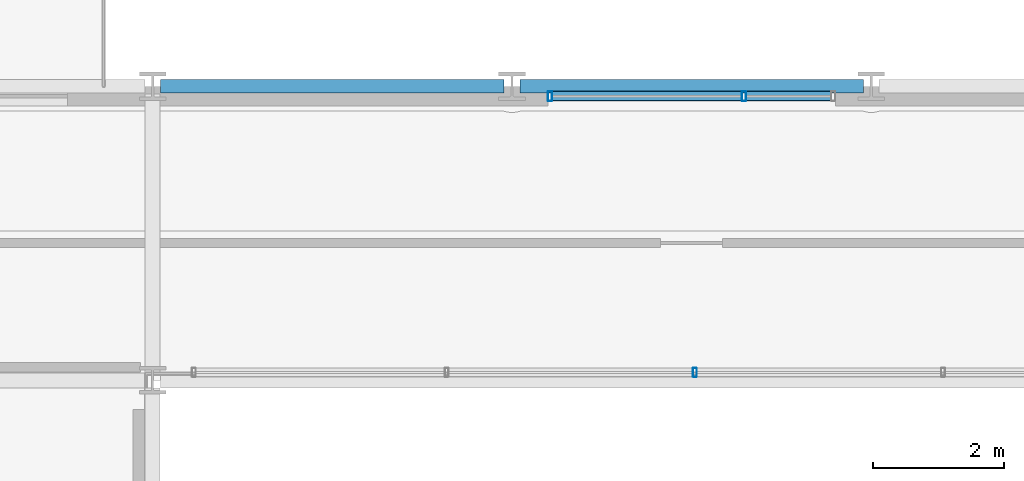
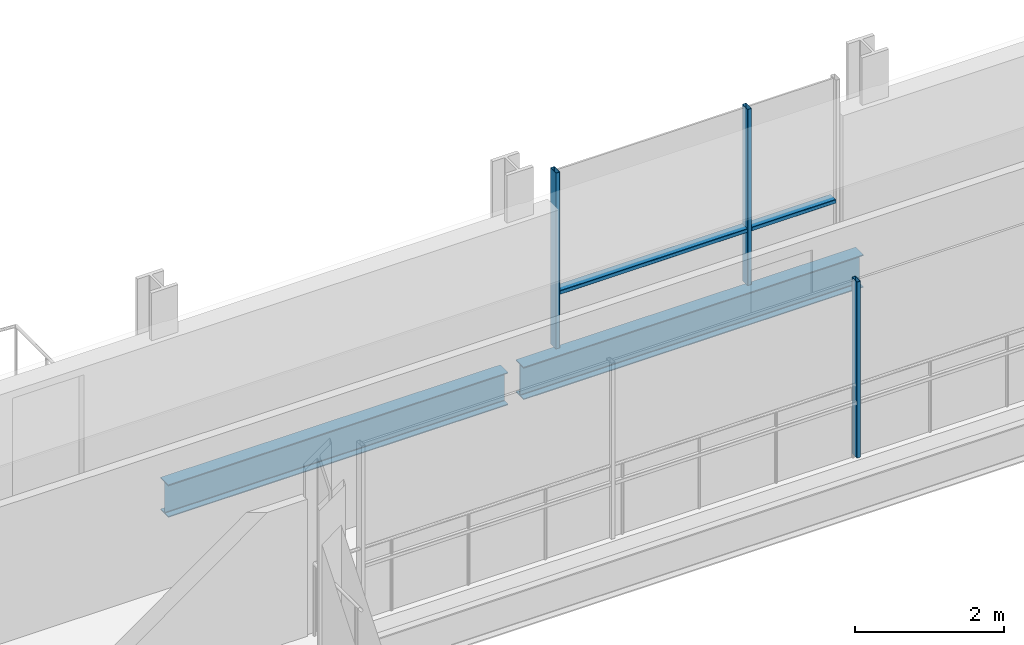
# One storey, part 11 of 38: 5 members, 2 beams, 2 elements without a shape of their own.
"""IFC4 building model written with IfcOpenShell, lengths in metres."""

from ifc_helpers import new_model, si_unit, direction, frame, origin, origin_2d, place, context, subcontext, project, spatial, hollow_rectangle, i_section, extrude, material, layer, layer_set, material_profile, profile_set, type_object, element, aggregate, save


model = new_model("IFC4")

# Units and contexts
model_context = context("Model", 3, precision=1e-05, world=origin(), true_north=direction((0.0, 1.0)))
body_context = subcontext(model_context, "Body", "Model", "MODEL_VIEW")
ifc_project = project(units=[si_unit("LENGTHUNIT", "METRE"), si_unit("AREAUNIT", "SQUARE_METRE"), si_unit("VOLUMEUNIT", "CUBIC_METRE"), si_unit("PLANEANGLEUNIT", "RADIAN"), si_unit("MASSUNIT", "GRAM", prefix="KILO")], contexts=[model_context])

# Site, building, storey
site_placement = place(None, origin())
site = spatial("IfcSite", under=ifc_project, at=site_placement, CompositionType="ELEMENT")
building_placement = place(site_placement, origin())
building = spatial("IfcBuilding", under=site, at=building_placement, Name="Brevholm Reach", CompositionType="ELEMENT")
storey_placement = place(building_placement, frame((0.0, 0.0, 128.300048828125)))
storey = spatial("IfcBuildingStorey", under=building, at=storey_placement, Name="L38", CompositionType="ELEMENT", Elevation=128.300048828125)

# Beams
ifc_material_1 = material(Name="Structural Steel S355J2", Category="steel")
ifc_material_profile_1 = material_profile(ifc_material_1, i_section(OverallWidth=0.209228515625, OverallDepth=0.533203125, WebThickness=0.010009765625, FlangeThickness=0.015625, FilletRadius=0.0126953125, at=origin_2d()), Name="UKB 533x210x92")
ifc_profile_set_1 = profile_set([ifc_material_profile_1], Name="Structural Steel S355J2")
beam_type = type_object("IfcBeamType", Name="BM-SP533", PredefinedType="SPANDREL", material=ifc_profile_set_1)
for number, where, z_axis, x_axis, name in (
    (1, (21.8701171875, 31.0, -0.486572265625), (1.0, 0.0, 0.0), (0.0, 1.0, 0.0), "L38 SP-02 Framing Beam"),
    (2, (27.3701171875, 31.0, -0.486572265625), (1.0, 0.0, 0.0), (0.0, 1.0, 0.0), "L38 SP-02 Framing Beam"),
):
    element("IfcBeam", number, at=place(storey_placement, frame(where, z_axis=z_axis, x_axis=x_axis)), inside=storey, type_object=beam_type, Name=name, PredefinedType="SPANDREL", context=body_context, shape_type="SweptSolid", body=[
        extrude(i_section(OverallWidth=0.209228515625, OverallDepth=0.533203125, WebThickness=0.010009765625, FlangeThickness=0.015625, FilletRadius=0.0126953125, at=origin_2d()), origin(), (0.0, 0.0, 1.0), 5.259765625),
    ])

# Curtain wall, member
ifc_material_2 = material(Name="Dark Anodised Aluminium 6063-T6 and Solar-Control Glass", Category="aluminium")
ifc_layer_1 = layer(ifc_material_2, 0.139892578125)
ifc_layer_set_1 = layer_set([ifc_layer_1], Name="Dark Anodised Aluminium 6063-T6 and Solar-Control Glass")
curtain_wall_type_1 = type_object("IfcCurtainWallType", Name="CW-02", PredefinedType="NOTDEFINED", material=ifc_layer_set_1)
curtain_wall_1_placement = place(storey_placement, origin())
curtain_wall_1 = element("IfcCurtainWall", 3, at=curtain_wall_1_placement, inside=storey, type_object=curtain_wall_type_1, Name="L38 Curtain Wall CW-02", PredefinedType="NOTDEFINED")
ifc_material_3 = material(Name="Dark Anodised Aluminium 6063-T6", Category="aluminium")
ifc_material_profile_2 = material_profile(ifc_material_3, hollow_rectangle(XDim=0.06005859375, YDim=0.139892578125, WallThickness=0.0048828125, InnerFilletRadius=0.0048828125, OuterFilletRadius=0.010009765625, at=origin_2d()), Name="RHS 140x60x5")
ifc_profile_set_2 = profile_set([ifc_material_profile_2], Name="Dark Anodised Aluminium 6063-T6")
member_type_1 = type_object("IfcMemberType", Name="CWM-140", PredefinedType="MULLION", material=ifc_profile_set_2)
member_1_placement = place(storey_placement, frame((30.050048828125, 26.6201171875, 0.0), z_axis=(0.0, 0.0, 1.0), x_axis=(-1.0, 0.0, 0.0)))
member_1 = element("IfcMember", 4, at=member_1_placement, type_object=member_type_1, Name="CM-140 Mullion 3", PredefinedType="MULLION", context=body_context, shape_type="SweptSolid", body=[
    extrude(hollow_rectangle(XDim=0.06005859375, YDim=0.139892578125, WallThickness=0.0048828125, InnerFilletRadius=0.0048828125, OuterFilletRadius=0.010009765625, at=origin_2d()), origin(), (0.0, 0.0, 1.0), 2.8798828125),
])
aggregate(curtain_wall_1, [member_1])

# Curtain wall, members
ifc_material_4 = material(Name="Dark Anodised Aluminium 6063-T6 and Solar-Control Glass", Category="aluminium")
ifc_layer_2 = layer(ifc_material_4, 0.14990234375)
ifc_layer_set_2 = layer_set([ifc_layer_2], Name="Dark Anodised Aluminium 6063-T6 and Solar-Control Glass")
curtain_wall_type_2 = type_object("IfcCurtainWallType", Name="CW-01", PredefinedType="NOTDEFINED", material=ifc_layer_set_2)
curtain_wall_2_placement = place(storey_placement, origin())
curtain_wall_2 = element("IfcCurtainWall", 5, at=curtain_wall_2_placement, inside=storey, type_object=curtain_wall_type_2, Name="L38 Curtain Wall CW-01", PredefinedType="NOTDEFINED")
ifc_material_5 = material(Name="Dark Anodised Aluminium 6063-T6", Category="aluminium")
ifc_material_profile_3 = material_profile(ifc_material_5, hollow_rectangle(XDim=0.06494140625, YDim=0.14990234375, WallThickness=0.0048828125, InnerFilletRadius=0.0048828125, OuterFilletRadius=0.010009765625, at=origin_2d()), Name="RHS 150x65x5")
ifc_profile_set_3 = profile_set([ifc_material_profile_3], Name="Dark Anodised Aluminium 6063-T6")
member_type_2 = type_object("IfcMemberType", Name="CWM-150", PredefinedType="MULLION", material=ifc_profile_set_3)
member_2_placement = place(storey_placement, frame((27.83251953125, 30.85009765625, 0.0), z_axis=(0.0, 0.0, 1.0), x_axis=(1.0, 0.0, 0.0)))
member_2 = element("IfcMember", 6, at=member_2_placement, type_object=member_type_2, Name="CM-150 Mullion 1", PredefinedType="MULLION", context=body_context, shape_type="SweptSolid", body=[
    extrude(hollow_rectangle(XDim=0.06494140625, YDim=0.14990234375, WallThickness=0.0048828125, InnerFilletRadius=0.0048828125, OuterFilletRadius=0.010009765625, at=origin_2d()), origin(), (0.0, 0.0, 1.0), 2.8798828125),
])
member_3_placement = place(storey_placement, frame((30.800048828125, 30.85009765625, 0.0), z_axis=(0.0, 0.0, 1.0), x_axis=(1.0, 0.0, 0.0)))
member_3 = element("IfcMember", 7, at=member_3_placement, type_object=member_type_2, Name="CM-150 Mullion 2", PredefinedType="MULLION", context=body_context, shape_type="SweptSolid", body=[
    extrude(hollow_rectangle(XDim=0.06494140625, YDim=0.14990234375, WallThickness=0.0048828125, InnerFilletRadius=0.0048828125, OuterFilletRadius=0.010009765625, at=origin_2d()), origin(), (0.0, 0.0, 1.0), 2.8798828125),
])
ifc_material_6 = material(Name="Dark Anodised Aluminium 6063-T6", Category="aluminium")
ifc_material_profile_4 = material_profile(ifc_material_6, hollow_rectangle(XDim=0.06494140625, YDim=0.14990234375, WallThickness=0.0048828125, InnerFilletRadius=0.0048828125, OuterFilletRadius=0.010009765625, at=origin_2d()), Name="RHS 150x65x5")
ifc_profile_set_4 = profile_set([ifc_material_profile_4], Name="Dark Anodised Aluminium 6063-T6")
member_type_3 = type_object("IfcMemberType", Name="CWT-150", PredefinedType="NOTDEFINED", material=ifc_profile_set_4)
member_4_placement = place(storey_placement, frame((27.864990234375, 30.85009765625, 0.89990234375), z_axis=(1.0, 0.0, 0.0), x_axis=(0.0, 0.0, 1.0)))
member_4 = element("IfcMember", 8, at=member_4_placement, type_object=member_type_3, Name="CT-150 Transom 1.1", ObjectType="TRANSOM", PredefinedType="USERDEFINED", context=body_context, shape_type="SweptSolid", body=[
    extrude(hollow_rectangle(XDim=0.06494140625, YDim=0.14990234375, WallThickness=0.0048828125, InnerFilletRadius=0.0048828125, OuterFilletRadius=0.010009765625, at=origin_2d()), origin(), (0.0, 0.0, 1.0), 2.902587890625),
])
member_5_placement = place(storey_placement, frame((30.83251953125, 30.85009765625, 0.89990234375), z_axis=(1.0, 0.0, 0.0), x_axis=(0.0, 0.0, 1.0)))
member_5 = element("IfcMember", 9, at=member_5_placement, type_object=member_type_3, Name="CT-150 Transom 2.1", ObjectType="TRANSOM", PredefinedType="USERDEFINED", context=body_context, shape_type="SweptSolid", body=[
    extrude(hollow_rectangle(XDim=0.06494140625, YDim=0.14990234375, WallThickness=0.0048828125, InnerFilletRadius=0.0048828125, OuterFilletRadius=0.010009765625, at=origin_2d()), origin(), (0.0, 0.0, 1.0), 1.302490234375),
])
aggregate(curtain_wall_2, [member_2, member_3, member_4, member_5])

save(model, "model.ifc")
